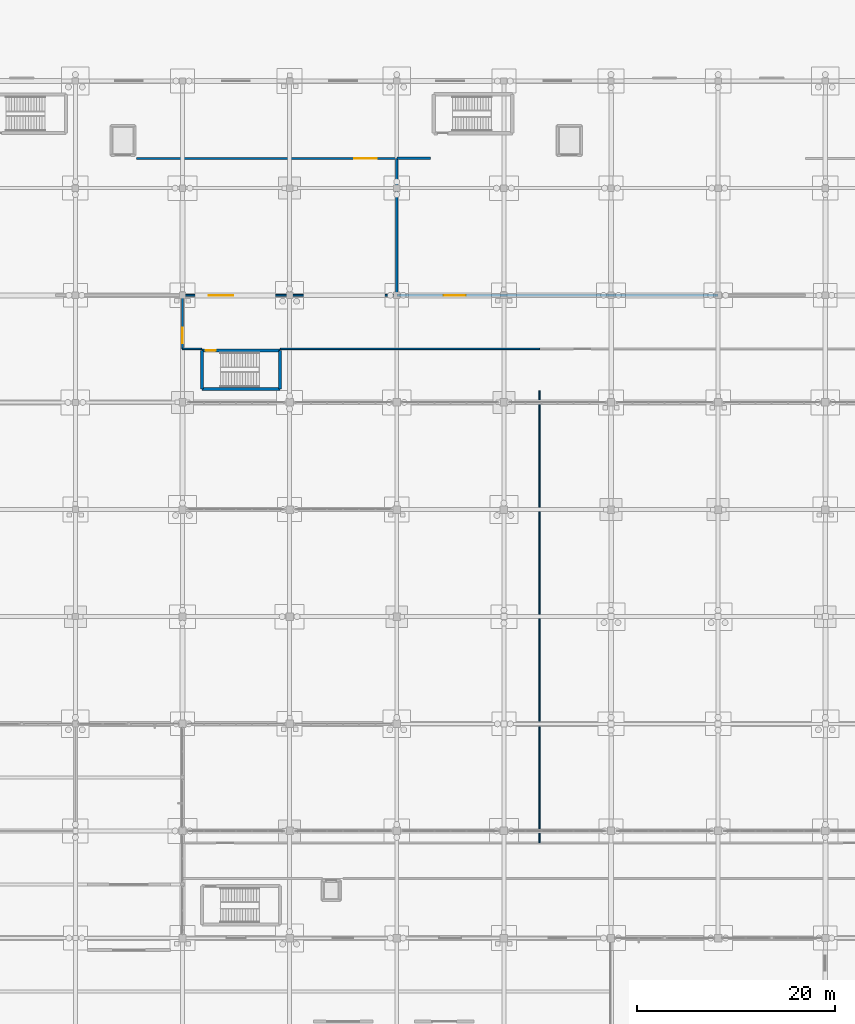
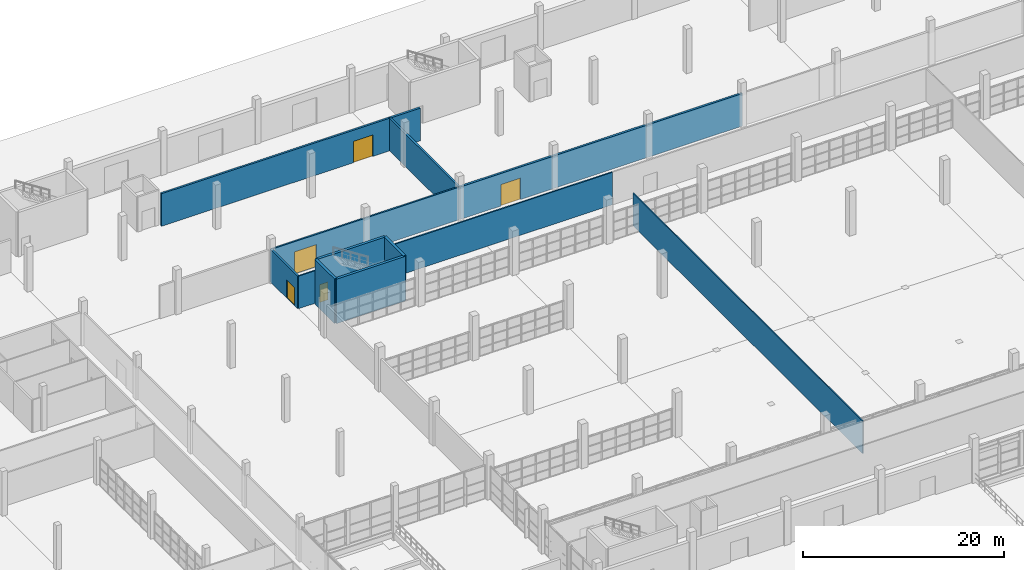
# One storey, part 105 of 138: 13 walls, 5 doors, 5 openings.
"""IFC4 building model written with IfcOpenShell, lengths in metres."""

from ifc_helpers import new_model, si_unit, direction, frame, frame_2d, origin, place, context, subcontext, project, spatial, rectangle, extrude, material, layer, layer_set, type_object, element, fill, save


model = new_model("IFC4")

# Units and contexts
model_context = context("Model", 3, precision=1e-05, world=origin(), true_north=direction((0.0, 1.0)))
body_context = subcontext(model_context, "Body", "Model", "MODEL_VIEW")
ifc_project = project(units=[si_unit("LENGTHUNIT", "METRE"), si_unit("AREAUNIT", "SQUARE_METRE"), si_unit("VOLUMEUNIT", "CUBIC_METRE"), si_unit("PLANEANGLEUNIT", "RADIAN"), si_unit("MASSUNIT", "GRAM", prefix="KILO")], contexts=[model_context])

# Site, building, storey
site_placement = place(None, origin())
site = spatial("IfcSite", under=ifc_project, at=site_placement, CompositionType="ELEMENT")
building_placement = place(site_placement, origin())
building = spatial("IfcBuilding", under=site, at=building_placement, Name="Zwinboog Wholesale Market", CompositionType="ELEMENT")
storey_placement = place(building_placement, origin())
storey = spatial("IfcBuildingStorey", under=building, at=storey_placement, Name="L00", CompositionType="ELEMENT", Elevation=0.0)

# Wall
ifc_material_1 = material(Name="Concrete C40/50", Category="concrete")
ifc_layer_1 = layer(ifc_material_1, 0.300048828125)
ifc_layer_set_1 = layer_set([ifc_layer_1], Name="Concrete C40/50")
wall_type_1 = type_object("IfcWallType", Name="WT-SW-300", PredefinedType="SHEAR", material=ifc_layer_set_1)
wall_1_placement = place(storey_placement, frame((66.75, 98.550048828125, 0.0), z_axis=(0.0, 0.0, 1.0), x_axis=(1.0, 0.0, 0.0)))
element("IfcWall", 1, at=wall_1_placement, inside=storey, type_object=wall_type_1, Name="SW-02 (WL-SW-L00-145)", PredefinedType="SHEAR", context=body_context, shape_type="SweptSolid", body=[
    extrude(rectangle(XDim=7.89990234375, YDim=0.300048828125, at=frame_2d((3.949951171875, 0.0))), origin(), (0.0, 0.0, 1.0), 5.39990234375),
])

# Wall, opening, door
wall_2_placement = place(storey_placement, frame((66.75, 102.449951171875, 0.0), z_axis=(0.0, 0.0, 1.0), x_axis=(1.0, 0.0, 0.0)))
wall_2 = element("IfcWall", 2, at=wall_2_placement, inside=storey, type_object=wall_type_1, Name="SW-02 (WL-SW-L00-146)", PredefinedType="SHEAR", context=body_context, shape_type="SweptSolid", body=[
    extrude(rectangle(XDim=7.89990234375, YDim=0.300048828125, at=frame_2d((3.949951171875, 0.0))), origin(), (0.0, 0.0, 1.0), 5.39990234375),
])
opening_1_placement = place(wall_2_placement, frame((0.3798828125, 0.0, 0.0)))
opening_1 = element("IfcOpeningElement", 3, at=opening_1_placement, cuts=wall_2, Name="Opening FD-0037", PredefinedType="OPENING", context=body_context, shape_type="SweptSolid", body=[
    extrude(rectangle(XDim=1.0, YDim=2.14990234375, at=frame_2d((0.5, 1.074951171875))), frame((0.0, 0.159912109375, 0.0), z_axis=(0.0, -1.0, 0.0), x_axis=(1.0, 0.0, 0.0)), (0.0, 0.0, 1.0), 0.320068359375),
])
ifc_material_2 = material(Name="Timber and powder-coated steel door leaf", Category="steel")
door_type_1 = type_object("IfcDoorType", Name="IDT-FD-01", OperationType="NOTDEFINED", PredefinedType="DOOR", material=ifc_material_2)
door_1_placement = place(opening_1_placement, frame((1.0, 0.0, 0.0), z_axis=(0.0, 0.0, 1.0), x_axis=(-1.0, 0.0, 0.0)))
door_1 = element("IfcDoor", 4, at=door_1_placement, inside=storey, type_object=door_type_1, Name="Core Fire Door FD-0037", OperationType="SINGLE_SWING_RIGHT", OverallHeight=2.14990234375, OverallWidth=1.0, PredefinedType="DOOR", context=body_context, shape_type="SweptSolid", body=[
    extrude(rectangle(XDim=1.0, YDim=2.14990234375, at=frame_2d((0.5, 1.074951171875))), frame((0.0, 0.02490234375, 0.0), z_axis=(0.0, -1.0, 0.0), x_axis=(1.0, 0.0, 0.0)), (0.0, 0.0, 1.0), 0.050048828125),
])
fill(opening_1, door_1)

# Walls
for number, where, z_axis, x_axis, name in (
    (5, (66.75, 98.550048828125, 0.0), (0.0, 0.0, 1.0), (0.0, 1.0, 0.0), "SW-02 (WL-SW-L00-147)"),
    (6, (74.64990234375, 98.550048828125, 0.0), (0.0, 0.0, 1.0), (0.0, 1.0, 0.0), "SW-02 (WL-SW-L00-148)"),
):
    element("IfcWall", number, at=place(storey_placement, frame(where, z_axis=z_axis, x_axis=x_axis)), inside=storey, type_object=wall_type_1, Name=name, PredefinedType="SHEAR", context=body_context, shape_type="SweptSolid", body=[
        extrude(rectangle(XDim=3.89990234375, YDim=0.300048828125, at=frame_2d((1.949951171875, 0.0))), origin(), (0.0, 0.0, 1.0), 5.39990234375),
    ])

# Wall, opening, door
ifc_material_3 = material(Name="Precast concrete C45/55", Category="concrete")
ifc_layer_2 = layer(ifc_material_3, 0.179931640625)
ifc_layer_set_2 = layer_set([ifc_layer_2], Name="Precast concrete C45/55")
wall_type_2 = type_object("IfcWallType", Name="WT-IW-180", PredefinedType="PARTITIONING", material=ifc_layer_set_2)
wall_3_placement = place(storey_placement, frame((64.800048828125, 108.0, 0.0), z_axis=(0.0, 0.0, 1.0), x_axis=(1.0, 0.0, 0.0)))
wall_3 = element("IfcWall", 7, at=wall_3_placement, inside=storey, type_object=wall_type_2, Name="IW-01 (WL-IN-L00-0022)", PredefinedType="PARTITIONING", context=body_context, shape_type="SweptSolid", body=[
    extrude(rectangle(XDim=21.599853515625, YDim=0.179931640625, at=frame_2d((10.7998046875, 0.0))), origin(), (0.0, 0.0, 1.0), 3.949951171875),
])
opening_2_placement = place(wall_3_placement, frame((2.637939453125, 0.0, 0.0)))
opening_2 = element("IfcOpeningElement", 8, at=opening_2_placement, cuts=wall_3, Name="Opening IDF-0021", PredefinedType="OPENING", context=body_context, shape_type="SweptSolid", body=[
    extrude(rectangle(XDim=2.5, YDim=2.699951171875, at=frame_2d((1.25, 1.35009765625))), frame((0.0, 0.099853515625, 0.0), z_axis=(0.0, -1.0, 0.0), x_axis=(1.0, 0.0, 0.0)), (0.0, 0.0, 1.0), 0.199951171875),
])
door_type_2 = type_object("IfcDoorType", Name="IDT-CS-03", OperationType="DOUBLE_DOOR_SLIDING", PredefinedType="DOOR", material=ifc_material_2)
door_2_placement = place(opening_2_placement, frame((2.5, 0.0, 0.0), z_axis=(0.0, 0.0, 1.0), x_axis=(-1.0, 0.0, 0.0)))
door_2 = element("IfcDoor", 9, at=door_2_placement, inside=storey, type_object=door_type_2, Name="Interior Door IDF-0021", OperationType="DOUBLE_DOOR_SLIDING", OverallHeight=2.699951171875, OverallWidth=2.5, PredefinedType="DOOR", context=body_context, shape_type="SweptSolid", body=[
    extrude(rectangle(XDim=2.5, YDim=2.699951171875, at=frame_2d((1.25, 1.35009765625))), frame((0.0, 0.02490234375, 0.0), z_axis=(0.0, -1.0, 0.0), x_axis=(1.0, 0.0, 0.0)), (0.0, 0.0, 1.0), 0.050048828125),
])
fill(opening_2, door_2)

ifc_layer_3 = layer(ifc_material_3, 0.235107421875)
ifc_layer_set_3 = layer_set([ifc_layer_3], Name="Precast concrete C45/55")
wall_type_3 = type_object("IfcWallType", Name="WT-IW-235", PredefinedType="PARTITIONING", material=ifc_layer_set_3)
wall_4_placement = place(storey_placement, frame((64.800048828125, 102.60009765625, 0.0), z_axis=(0.0, 0.0, 1.0), x_axis=(0.0, 1.0, 0.0)))
wall_4 = element("IfcWall", 10, at=wall_4_placement, inside=storey, type_object=wall_type_3, Name="IW-03 (WL-IN-L00-0021)", PredefinedType="PARTITIONING", context=body_context, shape_type="SweptSolid", body=[
    extrude(rectangle(XDim=5.39990234375, YDim=0.235107421875, at=frame_2d((2.699951171875, 0.0))), origin(), (0.0, 0.0, 1.0), 3.949951171875),
])
opening_3_placement = place(wall_4_placement, frame((0.550048828125, 0.0, 0.0)))
opening_3 = element("IfcOpeningElement", 11, at=opening_3_placement, cuts=wall_4, Name="Opening IDF-0020", PredefinedType="OPENING", context=body_context, shape_type="SweptSolid", body=[
    extrude(rectangle(XDim=1.60009765625, YDim=2.199951171875, at=frame_2d((0.800048828125, 1.10009765625))), frame((0.0, 0.12744140625, 0.0), z_axis=(0.0, -1.0, 0.0), x_axis=(1.0, 0.0, 0.0)), (0.0, 0.0, 1.0), 0.255126953125),
])
door_type_3 = type_object("IfcDoorType", Name="IDT-FD-03", OperationType="DOUBLE_DOOR_SINGLE_SWING", PredefinedType="DOOR", material=ifc_material_2)
door_3_placement = place(opening_3_placement, origin())
door_3 = element("IfcDoor", 12, at=door_3_placement, inside=storey, type_object=door_type_3, Name="Interior Door IDF-0020", OperationType="DOUBLE_DOOR_SINGLE_SWING", OverallHeight=2.199951171875, OverallWidth=1.60009765625, PredefinedType="DOOR", context=body_context, shape_type="SweptSolid", body=[
    extrude(rectangle(XDim=1.60009765625, YDim=2.199951171875, at=frame_2d((0.800048828125, 1.10009765625))), frame((0.0, 0.02490234375, 0.0), z_axis=(0.0, -1.0, 0.0), x_axis=(1.0, 0.0, 0.0)), (0.0, 0.0, 1.0), 0.050048828125),
])
fill(opening_3, door_3)

wall_5_placement = place(storey_placement, frame((86.39990234375, 108.0, 0.0), z_axis=(0.0, 0.0, 1.0), x_axis=(1.0, 0.0, 0.0)))
wall_5 = element("IfcWall", 13, at=wall_5_placement, inside=storey, type_object=wall_type_3, Name="IW-03 (WL-IN-L00-0024)", PredefinedType="PARTITIONING", context=body_context, shape_type="SweptSolid", body=[
    extrude(rectangle(XDim=32.400146484375, YDim=0.235107421875, at=frame_2d((16.2001953125, 0.0))), origin(), (0.0, 0.0, 1.0), 3.949951171875),
])
opening_4_placement = place(wall_5_placement, frame((4.721923828125, 0.0, 0.0)))
opening_4 = element("IfcOpeningElement", 14, at=opening_4_placement, cuts=wall_5, Name="Opening IDF-0023", PredefinedType="OPENING", context=body_context, shape_type="SweptSolid", body=[
    extrude(rectangle(XDim=2.219970703125, YDim=2.60009765625, at=frame_2d((1.10986328125, 1.300048828125))), frame((0.0, 0.12744140625, 0.0), z_axis=(0.0, -1.0, 0.0), x_axis=(1.0, 0.0, 0.0)), (0.0, 0.0, 1.0), 0.255126953125),
])
door_type_4 = type_object("IfcDoorType", Name="IDT-CS-02", OperationType="SLIDING_TO_RIGHT", PredefinedType="DOOR", material=ifc_material_2)
door_4_placement = place(opening_4_placement, origin())
door_4 = element("IfcDoor", 15, at=door_4_placement, inside=storey, type_object=door_type_4, Name="Interior Door IDF-0023", OperationType="SLIDING_TO_RIGHT", OverallHeight=2.60009765625, OverallWidth=2.219970703125, PredefinedType="DOOR", context=body_context, shape_type="SweptSolid", body=[
    extrude(rectangle(XDim=2.219970703125, YDim=2.60009765625, at=frame_2d((1.10986328125, 1.300048828125))), frame((0.0, 0.02490234375, 0.0), z_axis=(0.0, -1.0, 0.0), x_axis=(1.0, 0.0, 0.0)), (0.0, 0.0, 1.0), 0.050048828125),
])
fill(opening_4, door_4)

ifc_material_4 = material(Name="Insulated PIR cold-store sandwich panel")
ifc_layer_4 = layer(ifc_material_4, 0.221923828125)
ifc_layer_set_4 = layer_set([ifc_layer_4], Name="Insulated PIR cold-store sandwich panel")
wall_type_4 = type_object("IfcWallType", Name="WT-CS-222", PredefinedType="PARTITIONING", material=ifc_layer_set_4)
wall_6_placement = place(storey_placement, frame((60.14990234375, 121.800048828125, 0.0), z_axis=(0.0, 0.0, 1.0), x_axis=(1.0, 0.0, 0.0)))
wall_6 = element("IfcWall", 16, at=wall_6_placement, inside=storey, type_object=wall_type_4, Name="PW-CS1 (WL-IN-L00-0069)", PredefinedType="PARTITIONING", context=body_context, shape_type="SweptSolid", body=[
    extrude(rectangle(XDim=26.25, YDim=0.221923828125, at=frame_2d((13.125, 0.0))), origin(), (0.0, 0.0, 1.0), 3.949951171875),
])
opening_5_placement = place(wall_6_placement, frame((21.989990234375, 0.0, 0.0)))
opening_5 = element("IfcOpeningElement", 17, at=opening_5_placement, cuts=wall_6, Name="Opening IDF-0038", PredefinedType="OPENING", context=body_context, shape_type="SweptSolid", body=[
    extrude(rectangle(XDim=2.219970703125, YDim=2.60009765625, at=frame_2d((1.10986328125, 1.300048828125))), frame((0.0, 0.120849609375, 0.0), z_axis=(0.0, -1.0, 0.0), x_axis=(1.0, 0.0, 0.0)), (0.0, 0.0, 1.0), 0.241943359375),
])
door_5_placement = place(opening_5_placement, origin())
door_5 = element("IfcDoor", 18, at=door_5_placement, inside=storey, type_object=door_type_4, Name="Interior Door IDF-0038", OperationType="SLIDING_TO_RIGHT", OverallHeight=2.60009765625, OverallWidth=2.219970703125, PredefinedType="DOOR", context=body_context, shape_type="SweptSolid", body=[
    extrude(rectangle(XDim=2.219970703125, YDim=2.60009765625, at=frame_2d((1.10986328125, 1.300048828125))), frame((0.0, 0.02490234375, 0.0), z_axis=(0.0, -1.0, 0.0), x_axis=(1.0, 0.0, 0.0)), (0.0, 0.0, 1.0), 0.050048828125),
])
fill(opening_5, door_5)

# Walls
wall_7_placement = place(storey_placement, frame((86.39990234375, 108.0, 0.0), z_axis=(0.0, 0.0, 1.0), x_axis=(0.0, 1.0, 0.0)))
element("IfcWall", 19, at=wall_7_placement, inside=storey, type_object=wall_type_4, Name="PW-CS1 (WL-IN-L00-0075)", PredefinedType="PARTITIONING", context=body_context, shape_type="SweptSolid", body=[
    extrude(rectangle(XDim=13.800048828125, YDim=0.221923828125, at=frame_2d((6.89990234375, 0.0))), origin(), (0.0, 0.0, 1.0), 3.949951171875),
])
ifc_material_5 = material(Name="Insulated PIR freezer sandwich panel")
ifc_layer_5 = layer(ifc_material_5, 0.251953125)
ifc_layer_set_5 = layer_set([ifc_layer_5], Name="Insulated PIR freezer sandwich panel")
wall_type_5 = type_object("IfcWallType", Name="WT-CS-252", PredefinedType="PARTITIONING", material=ifc_layer_set_5)
wall_8_placement = place(storey_placement, frame((86.39990234375, 121.800048828125, 0.0), z_axis=(0.0, 0.0, 1.0), x_axis=(1.0, 0.0, 0.0)))
element("IfcWall", 20, at=wall_8_placement, inside=storey, type_object=wall_type_5, Name="PW-CS2 (WL-IN-L00-0076)", PredefinedType="PARTITIONING", context=body_context, shape_type="SweptSolid", body=[
    extrude(rectangle(XDim=3.400146484375, YDim=0.251953125, at=frame_2d((1.7001953125, 0.0))), origin(), (0.0, 0.0, 1.0), 3.949951171875),
])
ifc_material_6 = material(Name="Gypsum acoustic stud partition")
ifc_layer_6 = layer(ifc_material_6, 0.1240234375)
ifc_layer_set_6 = layer_set([ifc_layer_6], Name="Gypsum acoustic stud partition")
wall_type_6 = type_object("IfcWallType", Name="WT-PT-124", PredefinedType="PARTITIONING", material=ifc_layer_set_6)
wall_9_placement = place(storey_placement, frame((100.800048828125, 52.800048828125, 0.0), z_axis=(0.0, 0.0, 1.0), x_axis=(0.0, 1.0, 0.0)))
element("IfcWall", 21, at=wall_9_placement, inside=storey, type_object=wall_type_6, Name="PW-02 (WL-IN-L00-0077)", PredefinedType="PARTITIONING", context=body_context, shape_type="SweptSolid", body=[
    extrude(rectangle(XDim=45.599853515625, YDim=0.1240234375, at=frame_2d((22.7998046875, 0.0))), origin(), (0.0, 0.0, 1.0), 3.949951171875),
])
ifc_material_7 = material(Name="Fire-rated corridor stud partition")
ifc_layer_7 = layer(ifc_material_7, 0.154052734375)
ifc_layer_set_7 = layer_set([ifc_layer_7], Name="Fire-rated corridor stud partition")
wall_type_7 = type_object("IfcWallType", Name="WT-PT-154", PredefinedType="PARTITIONING", material=ifc_layer_set_7)
wall_10_placement = place(storey_placement, frame((64.800048828125, 102.60009765625, 0.0), z_axis=(0.0, 0.0, 1.0), x_axis=(1.0, 0.0, 0.0)))
element("IfcWall", 22, at=wall_10_placement, inside=storey, type_object=wall_type_7, Name="PW-04 (WL-IN-L00-0073)", PredefinedType="PARTITIONING", context=body_context, shape_type="SweptSolid", body=[
    extrude(rectangle(XDim=1.929931640625, YDim=0.154052734375, at=frame_2d((0.96484375, 0.0))), origin(), (0.0, 0.0, 1.0), 3.949951171875),
])
wall_11_placement = place(storey_placement, frame((74.669921875, 102.60009765625, 0.0), z_axis=(0.0, 0.0, 1.0), x_axis=(1.0, 0.0, 0.0)))
element("IfcWall", 23, at=wall_11_placement, inside=storey, type_object=wall_type_7, Name="PW-04 (WL-IN-L00-0074)", PredefinedType="PARTITIONING", context=body_context, shape_type="SweptSolid", body=[
    extrude(rectangle(XDim=26.130126953125, YDim=0.154052734375, at=frame_2d((13.06494140625, 0.0))), origin(), (0.0, 0.0, 1.0), 3.949951171875),
])

save(model, "model.ifc")
